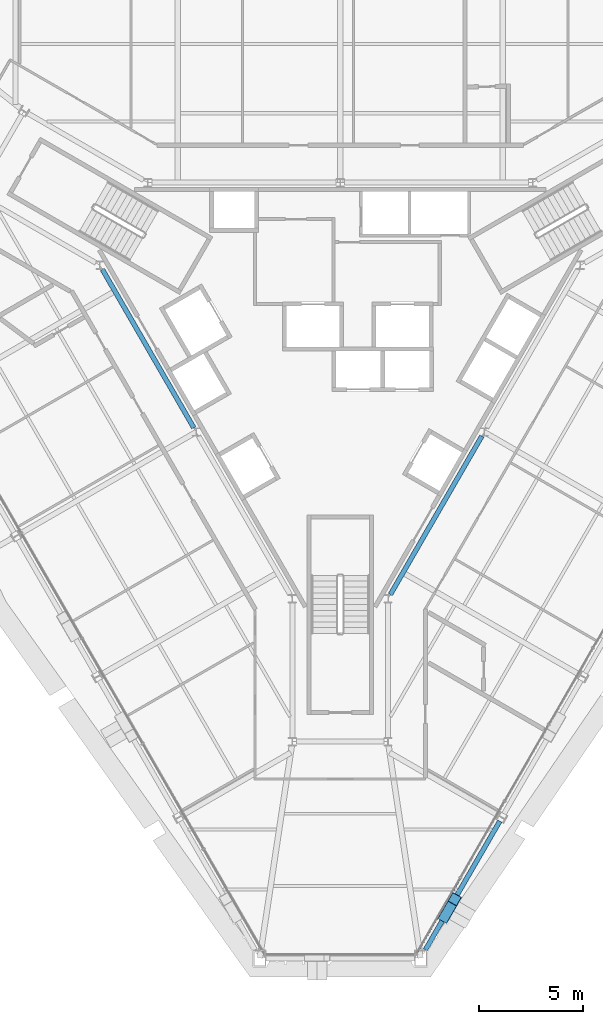
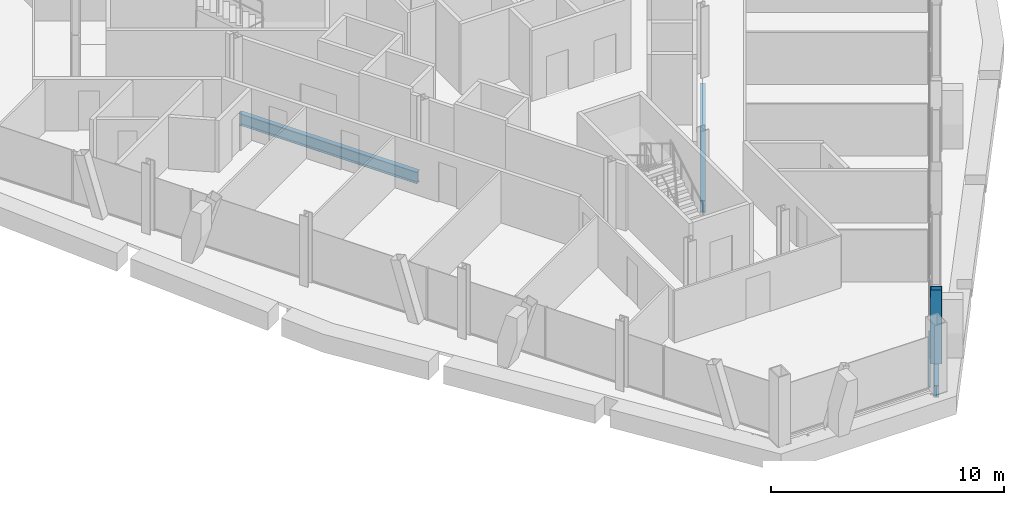
# One storey, part 5 of 17: 3 beams, 2 members, 1 element without a shape of its own.
"""IFC4 building model written with IfcOpenShell, lengths in metres."""

from ifc_helpers import new_model, si_unit, direction, frame, origin, origin_2d, place, context, subcontext, project, spatial, rectangle, hollow_rectangle, i_section, extrude, material, material_profile, profile_set, type_object, element, aggregate, save


model = new_model("IFC4")

# Units and contexts
model_context = context("Model", 3, precision=1e-05, world=origin(), true_north=direction((0.0, 1.0)))
body_context = subcontext(model_context, "Body", "Model", "MODEL_VIEW")
ifc_project = project(units=[si_unit("LENGTHUNIT", "METRE"), si_unit("AREAUNIT", "SQUARE_METRE"), si_unit("VOLUMEUNIT", "CUBIC_METRE"), si_unit("PLANEANGLEUNIT", "RADIAN"), si_unit("MASSUNIT", "GRAM", prefix="KILO")], contexts=[model_context])

# Site, building, storey
site_placement = place(None, origin())
site = spatial("IfcSite", under=ifc_project, at=site_placement, CompositionType="ELEMENT")
building_placement = place(site_placement, origin())
building = spatial("IfcBuilding", under=site, at=building_placement, Name="Verrane Prism Tower", CompositionType="ELEMENT")
storey_placement = place(building_placement, frame((0.0, 0.0, 182.10009765625)))
storey = spatial("IfcBuildingStorey", under=building, at=storey_placement, Name="L45", CompositionType="ELEMENT", Elevation=182.10009765625)

# Beams
ifc_material_1 = material(Name="Steel A992", Category="steel")
ifc_material_profile_1 = material_profile(ifc_material_1, i_section(OverallWidth=0.23046875, OverallDepth=0.6171875, WebThickness=0.01318359375, FlangeThickness=0.022216796875, FilletRadius=0.012939453125, at=origin_2d()), Name="W24x94")
ifc_profile_set_1 = profile_set([ifc_material_profile_1], Name="Steel A992")
beam_type_1 = type_object("IfcBeamType", Name="Core ring girder W24x94", PredefinedType="BEAM", material=ifc_profile_set_1)
beam_1_placement = place(storey_placement, frame((-11.44482421875, 3.820556640625, -0.55859375), z_axis=(0.499967414725, -0.866044216084, 0.0), x_axis=(0.866044216084, 0.499967414725, 0.0)))
element("IfcBeam", 1, at=beam_1_placement, inside=storey, type_object=beam_type_1, Name="Core ring girder L45", PredefinedType="BEAM", context=body_context, shape_type="SweptSolid", body=[
    extrude(i_section(OverallWidth=0.23046875, OverallDepth=0.6171875, WebThickness=0.01318359375, FlangeThickness=0.022216796875, FilletRadius=0.012939453125, at=origin_2d()), origin(), (0.0, 0.0, 1.0), 8.7998046875),
])
beam_2_placement = place(storey_placement, frame((2.4150390625, -11.820556640625, -0.55859375), z_axis=(0.499988222896, 0.866032203192, 0.0), x_axis=(-0.866032203192, 0.499988222896, 0.0)))
element("IfcBeam", 2, at=beam_2_placement, inside=storey, type_object=beam_type_1, Name="Core ring girder L45", PredefinedType="BEAM", context=body_context, shape_type="SweptSolid", body=[
    extrude(i_section(OverallWidth=0.23046875, OverallDepth=0.6171875, WebThickness=0.01318359375, FlangeThickness=0.022216796875, FilletRadius=0.012939453125, at=origin_2d()), origin(), (0.0, 0.0, 1.0), 8.800048828125),
])

# Member
ifc_material_2 = material(Name="Steel A500 Grade C", Category="steel")
ifc_material_profile_2 = material_profile(ifc_material_2, hollow_rectangle(XDim=0.508056640625, YDim=0.508056640625, WallThickness=0.01904296875, InnerFilletRadius=0.009521484375, OuterFilletRadius=0.028564453125, at=origin_2d()), Name="HSS20x20x3/4")
ifc_profile_set_2 = profile_set([ifc_material_profile_2], Name="Steel A500 Grade C")
member_type_1 = type_object("IfcMemberType", Name="Facade brace HSS20x20x3/4", PredefinedType="BRACE", material=ifc_profile_set_2)
member_1_placement = place(storey_placement, frame((5.025146484375, -27.31982421875, -0.216796875), z_axis=(0.144565184454, 0.250228660193, 0.957333027249), x_axis=(-0.865882122788, 0.500248087888, 0.0)))
element("IfcMember", 3, at=member_1_placement, inside=storey, type_object=member_type_1, Name="Facade brace SE0 L45", PredefinedType="BRACE", context=body_context, shape_type="SweptSolid", body=[
    extrude(hollow_rectangle(XDim=0.508056640625, YDim=0.508056640625, WallThickness=0.01904296875, InnerFilletRadius=0.009521484375, OuterFilletRadius=0.028564453125, at=origin_2d()), origin(), (0.0, 0.0, 1.0), 3.338623046875),
])

# Beam
ifc_material_3 = material(Name="Steel A992", Category="steel")
ifc_material_profile_3 = material_profile(ifc_material_3, i_section(OverallWidth=0.23046875, OverallDepth=0.6171875, WebThickness=0.01318359375, FlangeThickness=0.022216796875, FilletRadius=0.012939453125, at=origin_2d()), Name="W24x94")
ifc_profile_set_3 = profile_set([ifc_material_profile_3], Name="Steel A992")
beam_type_2 = type_object("IfcBeamType", Name="Spandrel beam W24x94", PredefinedType="SPANDREL", material=ifc_profile_set_3)
beam_3_placement = place(storey_placement, frame((4.10107421875, -28.919921875, -0.46875), z_axis=(0.50014395567, 0.865942274985, 0.0), x_axis=(-0.865942274985, 0.50014395567, 0.0)))
element("IfcBeam", 4, at=beam_3_placement, inside=storey, type_object=beam_type_2, Name="Spandrel beam L45", PredefinedType="SPANDREL", context=body_context, shape_type="SweptSolid", body=[
    extrude(i_section(OverallWidth=0.23046875, OverallDepth=0.6171875, WebThickness=0.01318359375, FlangeThickness=0.022216796875, FilletRadius=0.012939453125, at=origin_2d()), origin(), (0.0, 0.0, 1.0), 7.15283203125),
])

# Curtain wall, member
ifc_material_4 = material(Name="Aluminium framed insulated glazing", Category="aluminium")
curtain_wall_type = type_object("IfcCurtainWallType", Name="Curtain wall CW-C 4200 module", PredefinedType="NOTDEFINED", material=ifc_material_4)
curtain_wall_placement = place(storey_placement, origin())
curtain_wall = element("IfcCurtainWall", 5, at=curtain_wall_placement, inside=storey, type_object=curtain_wall_type, Name="Glazed curtain wall south-east face L45", PredefinedType="NOTDEFINED")
ifc_material_5 = material(Name="Aluminium alloy 6063-T6", Category="aluminium")
ifc_material_profile_4 = material_profile(ifc_material_5, rectangle(XDim=0.10009765625, YDim=0.050048828125, at=origin_2d()), Name="Transom 50x100 aluminium")
ifc_profile_set_4 = profile_set([ifc_material_profile_4], Name="Aluminium alloy 6063-T6")
member_type_2 = type_object("IfcMemberType", Name="Transom 50x100 aluminium", PredefinedType="USERDEFINED", material=ifc_profile_set_4)
member_2_placement = place(storey_placement, frame((3.67626953125, -29.094482421875, 0.02490234375), z_axis=(0.500013933422, 0.86601735917, 0.0), x_axis=(-0.86601735917, 0.500013933422, 0.0)))
member_2 = element("IfcMember", 6, at=member_2_placement, type_object=member_type_2, Name="CW44.6 transom 1", ObjectType="TRANSOM", PredefinedType="USERDEFINED", context=body_context, shape_type="SweptSolid", body=[
    extrude(rectangle(XDim=0.10009765625, YDim=0.050048828125, at=origin_2d()), origin(), (0.0, 0.0, 1.0), 4.18115234375),
])
aggregate(curtain_wall, [member_2])

save(model, "model.ifc")
